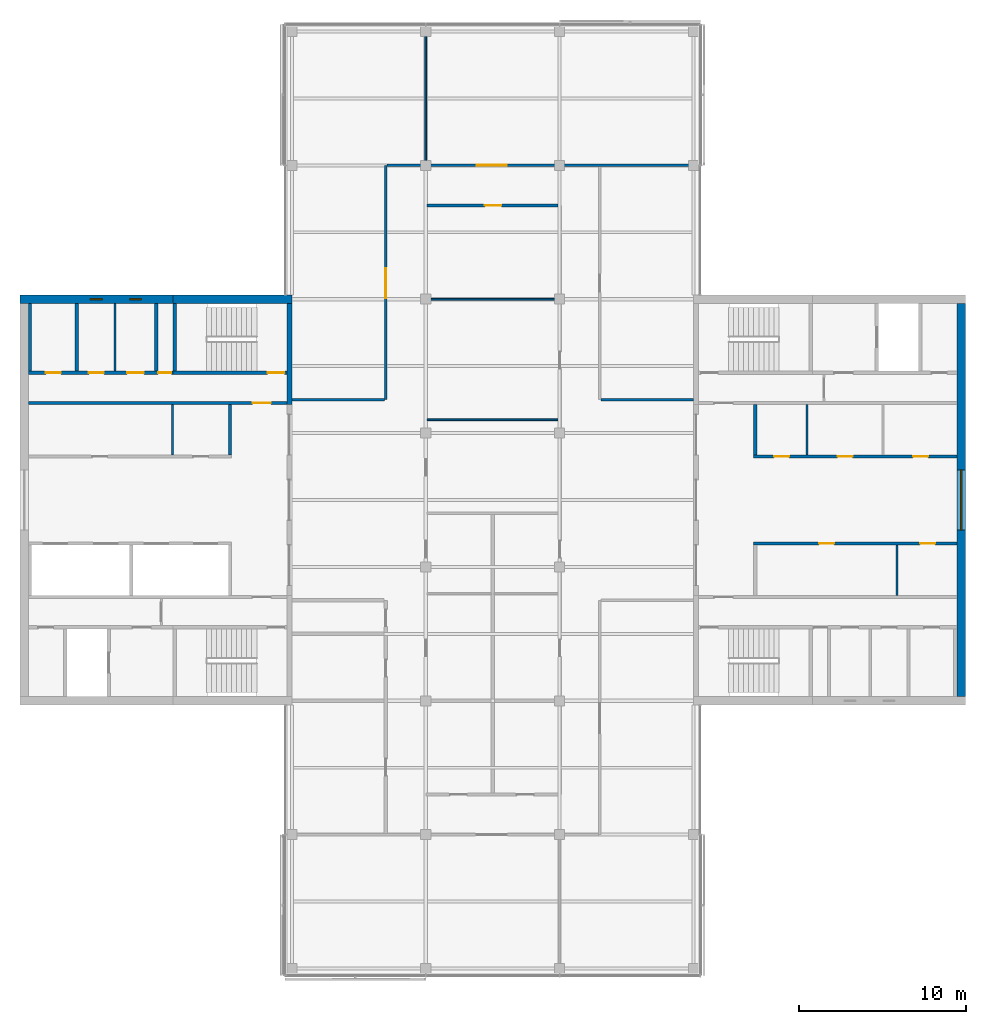
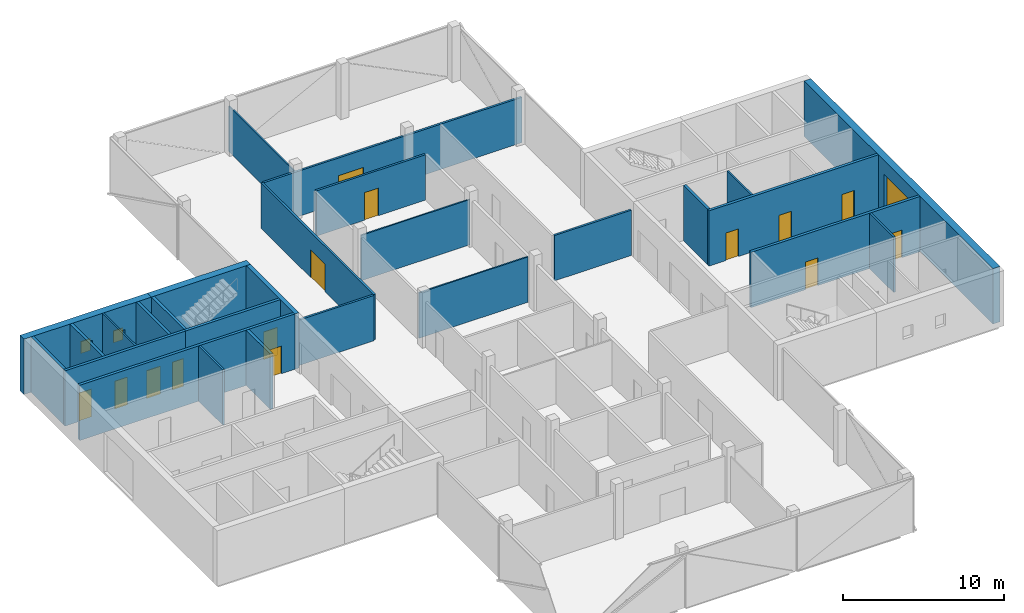
# One storey, part 11 of 15: 27 walls, 14 doors, 3 windows, 17 openings.
"""IFC4 building model written with IfcOpenShell, lengths in metres."""

from ifc_helpers import new_model, si_unit, direction, frame, frame_2d, origin, place, context, subcontext, project, spatial, rectangle, extrude, material, layer, layer_set, constituent, constituent_set, type_object, element, fill, save


model = new_model("IFC4")

# Units and contexts
model_context = context("Model", 3, precision=1e-05, world=origin(), true_north=direction((0.0, 1.0)))
body_context = subcontext(model_context, "Body", "Model", "MODEL_VIEW")
ifc_project = project(units=[si_unit("LENGTHUNIT", "METRE"), si_unit("AREAUNIT", "SQUARE_METRE"), si_unit("VOLUMEUNIT", "CUBIC_METRE"), si_unit("PLANEANGLEUNIT", "RADIAN"), si_unit("MASSUNIT", "GRAM", prefix="KILO")], contexts=[model_context])

# Site, building, storey
site_placement = place(None, origin())
site = spatial("IfcSite", under=ifc_project, at=site_placement, CompositionType="ELEMENT")
building_placement = place(site_placement, origin())
building = spatial("IfcBuilding", under=site, at=building_placement, Name="Crosswind Convention Tower", CompositionType="ELEMENT")
storey_placement = place(building_placement, frame((0.0, 0.0, 315.5)))
storey = spatial("IfcBuildingStorey", under=building, at=storey_placement, Name="L68", CompositionType="ELEMENT", Elevation=315.5)

# Walls
ifc_material_1 = material(Name="Concrete blockwork", Category="masonry")
ifc_layer_1 = layer(ifc_material_1, 0.199951171875)
ifc_layer_set_1 = layer_set([ifc_layer_1], Name="Blockwork partition wall 200")
wall_type_1 = type_object("IfcWallType", Name="Blockwork partition wall 200", PredefinedType="PARTITIONING", material=ifc_layer_set_1)
wall_1_placement = place(storey_placement, frame((104.89990234375, 111.75, 0.0), z_axis=(0.0, 0.0, 1.0), x_axis=(0.0, -1.0, 0.0)))
element("IfcWall", 1, at=wall_1_placement, inside=storey, type_object=wall_type_1, Name="Wall MRSE W L68", PredefinedType="PARTITIONING", context=body_context, shape_type="SweptSolid", body=[
    extrude(rectangle(XDim=4.050048828125, YDim=0.199951171875, at=frame_2d((2.02490234375, 0.0))), origin(), (0.0, 0.0, 1.0), 4.199951171875),
])
ifc_material_2 = material(Name="Concrete C50/60", Category="concrete")
ifc_layer_2 = layer(ifc_material_2, 0.300048828125)
ifc_layer_set_2 = layer_set([ifc_layer_2], Name="Concrete C50/60")
wall_type_2 = type_object("IfcWallType", Name="Concrete inner core wall 300", PredefinedType="SHEAR", material=ifc_layer_set_2)
wall_2_placement = place(storey_placement, frame((112.85009765625, 111.75, 0.0), z_axis=(0.0, 0.0, 1.0), x_axis=(0.0, -1.0, 0.0)))
element("IfcWall", 2, at=wall_2_placement, inside=storey, type_object=wall_type_2, Name="Wall EM W L68", PredefinedType="SHEAR", context=body_context, shape_type="SweptSolid", body=[
    extrude(rectangle(XDim=6.050048828125, YDim=0.300048828125, at=frame_2d((3.02490234375, 0.0))), origin(), (0.0, 0.0, 1.0), 4.199951171875),
])
ifc_layer_3 = layer(ifc_material_2, 0.199951171875)
ifc_layer_set_3 = layer_set([ifc_layer_3], Name="Concrete C50/60")
wall_type_3 = type_object("IfcWallType", Name="Concrete shaft and stair wall 200", PredefinedType="SHEAR", material=ifc_layer_set_3)
wall_3_placement = place(storey_placement, frame((140.699951171875, 102.699951171875, 0.0), z_axis=(0.0, 0.0, 1.0), x_axis=(0.0, 1.0, 0.0)))
element("IfcWall", 3, at=wall_3_placement, inside=storey, type_object=wall_type_3, Name="Wall RPEND E L68", PredefinedType="SHEAR", context=body_context, shape_type="SweptSolid", body=[
    extrude(rectangle(XDim=3.0, YDim=0.199951171875, at=frame_2d((1.5, 0.0))), origin(), (0.0, 0.0, 1.0), 4.199951171875),
])

# Wall, openings, doors
wall_4_placement = place(storey_placement, frame((140.60009765625, 102.60009765625, 0.0), z_axis=(0.0, 0.0, 1.0), x_axis=(1.0, 0.0, 0.0)))
wall_4 = element("IfcWall", 4, at=wall_4_placement, inside=storey, type_object=wall_type_3, Name="Wall RPFRONT E L68", PredefinedType="SHEAR", context=body_context, shape_type="SweptSolid", body=[
    extrude(rectangle(XDim=12.14990234375, YDim=0.199951171875, at=frame_2d((6.074951171875, 0.0))), origin(), (0.0, 0.0, 1.0), 4.199951171875),
])
opening_1_placement = place(wall_4_placement, frame((1.21240234375, 0.0, 0.0)))
opening_1 = element("IfcOpeningElement", 5, at=opening_1_placement, cuts=wall_4, Name="Opening D106", PredefinedType="OPENING", context=body_context, shape_type="SweptSolid", body=[
    extrude(rectangle(XDim=0.89990234375, YDim=2.10009765625, at=frame_2d((0.449951171875, 1.050048828125))), frame((0.0, 0.10986328125, 0.0), z_axis=(0.0, -1.0, 0.0), x_axis=(1.0, 0.0, 0.0)), (0.0, 0.0, 1.0), 0.219970703125),
])
opening_2_placement = place(wall_4_placement, frame((5.008056640625, 0.0, 0.0)))
opening_2 = element("IfcOpeningElement", 6, at=opening_2_placement, cuts=wall_4, Name="Opening D106", PredefinedType="OPENING", context=body_context, shape_type="SweptSolid", body=[
    extrude(rectangle(XDim=0.89990234375, YDim=2.10009765625, at=frame_2d((0.449951171875, 1.050048828125))), frame((0.0, 0.10986328125, 0.0), z_axis=(0.0, -1.0, 0.0), x_axis=(1.0, 0.0, 0.0)), (0.0, 0.0, 1.0), 0.219970703125),
])
opening_3_placement = place(wall_4_placement, frame((9.5205078125, 0.0, 0.0)))
opening_3 = element("IfcOpeningElement", 7, at=opening_3_placement, cuts=wall_4, Name="Opening D106", PredefinedType="OPENING", context=body_context, shape_type="SweptSolid", body=[
    extrude(rectangle(XDim=0.89990234375, YDim=2.10009765625, at=frame_2d((0.449951171875, 1.050048828125))), frame((0.0, 0.10986328125, 0.0), z_axis=(0.0, -1.0, 0.0), x_axis=(1.0, 0.0, 0.0)), (0.0, 0.0, 1.0), 0.219970703125),
])
ifc_material_3 = material(Name="Timber door", Category="wood")
door_type_1 = type_object("IfcDoorType", Name="Single leaf door 900x2100", OperationType="NOTDEFINED", PredefinedType="DOOR", material=ifc_material_3)
door_1_placement = place(opening_1_placement, origin())
door_1 = element("IfcDoor", 8, at=door_1_placement, inside=storey, type_object=door_type_1, Name="Door to meeting room L68", ObjectType="D106", OperationType="SINGLE_SWING_RIGHT", OverallHeight=2.10009765625, OverallWidth=0.89990234375, PredefinedType="DOOR", context=body_context, shape_type="SweptSolid", body=[
    extrude(rectangle(XDim=0.89990234375, YDim=2.10009765625, at=frame_2d((0.449951171875, 1.050048828125))), frame((0.0, 0.02490234375, 0.0), z_axis=(0.0, -1.0, 0.0), x_axis=(1.0, 0.0, 0.0)), (0.0, 0.0, 1.0), 0.050048828125),
])
fill(opening_1, door_1)
door_2_placement = place(opening_2_placement, origin())
door_2 = element("IfcDoor", 9, at=door_2_placement, inside=storey, type_object=door_type_1, Name="Door to pantry L68", ObjectType="D106", OperationType="SINGLE_SWING_RIGHT", OverallHeight=2.10009765625, OverallWidth=0.89990234375, PredefinedType="DOOR", context=body_context, shape_type="SweptSolid", body=[
    extrude(rectangle(XDim=0.89990234375, YDim=2.10009765625, at=frame_2d((0.449951171875, 1.050048828125))), frame((0.0, 0.02490234375, 0.0), z_axis=(0.0, -1.0, 0.0), x_axis=(1.0, 0.0, 0.0)), (0.0, 0.0, 1.0), 0.050048828125),
])
fill(opening_2, door_2)
door_3_placement = place(opening_3_placement, origin())
door_3 = element("IfcDoor", 10, at=door_3_placement, inside=storey, type_object=door_type_1, Name="Door to telecoms room L68", ObjectType="D106", OperationType="SINGLE_SWING_RIGHT", OverallHeight=2.10009765625, OverallWidth=0.89990234375, PredefinedType="DOOR", context=body_context, shape_type="SweptSolid", body=[
    extrude(rectangle(XDim=0.89990234375, YDim=2.10009765625, at=frame_2d((0.449951171875, 1.050048828125))), frame((0.0, 0.02490234375, 0.0), z_axis=(0.0, -1.0, 0.0), x_axis=(1.0, 0.0, 0.0)), (0.0, 0.0, 1.0), 0.050048828125),
])
fill(opening_3, door_3)

wall_5_placement = place(storey_placement, frame((140.60009765625, 97.39990234375, 0.0), z_axis=(0.0, 0.0, 1.0), x_axis=(1.0, 0.0, 0.0)))
wall_5 = element("IfcWall", 11, at=wall_5_placement, inside=storey, type_object=wall_type_3, Name="Wall RMFRONT E L68", PredefinedType="SHEAR", context=body_context, shape_type="SweptSolid", body=[
    extrude(rectangle(XDim=12.14990234375, YDim=0.199951171875, at=frame_2d((6.074951171875, 0.0))), origin(), (0.0, 0.0, 1.0), 4.199951171875),
])
opening_4_placement = place(wall_5_placement, frame((3.9013671875, 0.0, 0.0)))
opening_4 = element("IfcOpeningElement", 12, at=opening_4_placement, cuts=wall_5, Name="Opening D106", PredefinedType="OPENING", context=body_context, shape_type="SweptSolid", body=[
    extrude(rectangle(XDim=0.89990234375, YDim=2.10009765625, at=frame_2d((0.449951171875, 1.050048828125))), frame((0.0, 0.10986328125, 0.0), z_axis=(0.0, -1.0, 0.0), x_axis=(1.0, 0.0, 0.0)), (0.0, 0.0, 1.0), 0.219970703125),
])
opening_5_placement = place(wall_5_placement, frame((9.938720703125, 0.0, 0.0)))
opening_5 = element("IfcOpeningElement", 13, at=opening_5_placement, cuts=wall_5, Name="Opening D106", PredefinedType="OPENING", context=body_context, shape_type="SweptSolid", body=[
    extrude(rectangle(XDim=0.89990234375, YDim=2.10009765625, at=frame_2d((0.449951171875, 1.050048828125))), frame((0.0, 0.10986328125, 0.0), z_axis=(0.0, -1.0, 0.0), x_axis=(1.0, 0.0, 0.0)), (0.0, 0.0, 1.0), 0.219970703125),
])
door_4_placement = place(opening_4_placement, frame((0.89990234375, 0.0, 0.0), z_axis=(0.0, 0.0, 1.0), x_axis=(-1.0, 0.0, 0.0)))
door_4 = element("IfcDoor", 14, at=door_4_placement, inside=storey, type_object=door_type_1, Name="Door to pantry L68", ObjectType="D106", OperationType="SINGLE_SWING_LEFT", OverallHeight=2.10009765625, OverallWidth=0.89990234375, PredefinedType="DOOR", context=body_context, shape_type="SweptSolid", body=[
    extrude(rectangle(XDim=0.89990234375, YDim=2.10009765625, at=frame_2d((0.449951171875, 1.050048828125))), frame((0.0, 0.02490234375, 0.0), z_axis=(0.0, -1.0, 0.0), x_axis=(1.0, 0.0, 0.0)), (0.0, 0.0, 1.0), 0.050048828125),
])
fill(opening_4, door_4)
door_5_placement = place(opening_5_placement, frame((0.89990234375, 0.0, 0.0), z_axis=(0.0, 0.0, 1.0), x_axis=(-1.0, 0.0, 0.0)))
door_5 = element("IfcDoor", 15, at=door_5_placement, inside=storey, type_object=door_type_1, Name="Door to telecoms room L68", ObjectType="D106", OperationType="SINGLE_SWING_LEFT", OverallHeight=2.10009765625, OverallWidth=0.89990234375, PredefinedType="DOOR", context=body_context, shape_type="SweptSolid", body=[
    extrude(rectangle(XDim=0.89990234375, YDim=2.10009765625, at=frame_2d((0.449951171875, 1.050048828125))), frame((0.0, 0.02490234375, 0.0), z_axis=(0.0, -1.0, 0.0), x_axis=(1.0, 0.0, 0.0)), (0.0, 0.0, 1.0), 0.050048828125),
])
fill(opening_5, door_5)

# Wall
wall_6_placement = place(storey_placement, frame((109.300048828125, 105.699951171875, 0.0), z_axis=(0.0, 0.0, 1.0), x_axis=(0.0, -1.0, 0.0)))
element("IfcWall", 16, at=wall_6_placement, inside=storey, type_object=wall_type_3, Name="Wall RMEND W L68", PredefinedType="SHEAR", context=body_context, shape_type="SweptSolid", body=[
    extrude(rectangle(XDim=3.0, YDim=0.199951171875, at=frame_2d((1.5, 0.0))), origin(), (0.0, 0.0, 1.0), 4.199951171875),
])

# Wall, opening, door
wall_7_placement = place(storey_placement, frame((112.699951171875, 105.800048828125, 0.0), z_axis=(0.0, 0.0, 1.0), x_axis=(-1.0, 0.0, 0.0)))
wall_7 = element("IfcWall", 17, at=wall_7_placement, inside=storey, type_object=wall_type_3, Name="Wall HM W L68", PredefinedType="SHEAR", context=body_context, shape_type="SweptSolid", body=[
    extrude(rectangle(XDim=15.449951171875, YDim=0.199951171875, at=frame_2d((7.72509765625, 0.0))), origin(), (0.0, 0.0, 1.0), 4.199951171875),
])
opening_6_placement = place(wall_7_placement, frame((0.949951171875, 0.0, 0.0)))
opening_6 = element("IfcOpeningElement", 18, at=opening_6_placement, cuts=wall_7, Name="Opening D104", PredefinedType="OPENING", context=body_context, shape_type="SweptSolid", body=[
    extrude(rectangle(XDim=1.10009765625, YDim=2.10009765625, at=frame_2d((0.550048828125, 1.050048828125))), frame((0.0, 0.10986328125, 0.0), z_axis=(0.0, -1.0, 0.0), x_axis=(1.0, 0.0, 0.0)), (0.0, 0.0, 1.0), 0.219970703125),
])
ifc_material_4 = material(Name="Steel fire door", Category="steel")
door_type_2 = type_object("IfcDoorType", Name="Fire-rated single door 1100x2100", OperationType="NOTDEFINED", PredefinedType="DOOR", material=ifc_material_4)
door_6_placement = place(opening_6_placement, origin())
door_6 = element("IfcDoor", 19, at=door_6_placement, inside=storey, type_object=door_type_2, Name="Corridor door L68", ObjectType="D104", OperationType="SINGLE_SWING_LEFT", OverallHeight=2.10009765625, OverallWidth=1.10009765625, PredefinedType="DOOR", context=body_context, shape_type="SweptSolid", body=[
    extrude(rectangle(XDim=1.10009765625, YDim=2.10009765625, at=frame_2d((0.550048828125, 1.050048828125))), frame((0.0, 0.02490234375, 0.0), z_axis=(0.0, -1.0, 0.0), x_axis=(1.0, 0.0, 0.0)), (0.0, 0.0, 1.0), 0.050048828125),
])
fill(opening_6, door_6)

# Walls
for number, where, z_axis, x_axis, name in (
    (20, (106.0, 111.75, 0.0), (0.0, 0.0, 1.0), (0.0, -1.0, 0.0), "Wall MSE W L68"),
    (21, (100.14990234375, 111.75, 0.0), (0.0, 0.0, 1.0), (0.0, -1.0, 0.0), "Wall MFSW W L68"),
    (22, (97.35009765625, 111.75, 0.0), (0.0, 0.0, 1.0), (0.0, -1.0, 0.0), "Wall MFSE W L68"),
):
    element("IfcWall", number, at=place(storey_placement, frame(where, z_axis=z_axis, x_axis=x_axis)), inside=storey, type_object=wall_type_3, Name=name, PredefinedType="SHEAR", context=body_context, shape_type="SweptSolid", body=[
        extrude(rectangle(XDim=4.050048828125, YDim=0.199951171875, at=frame_2d((2.02490234375, 0.0))), origin(), (0.0, 0.0, 1.0), 4.199951171875),
    ])

# Wall, opening, door
wall_8_placement = place(storey_placement, frame((112.699951171875, 107.60009765625, 0.0), z_axis=(0.0, 0.0, 1.0), x_axis=(-1.0, 0.0, 0.0)))
wall_8 = element("IfcWall", 23, at=wall_8_placement, inside=storey, type_object=wall_type_3, Name="Wall MCW W L68", PredefinedType="SHEAR", context=body_context, shape_type="SweptSolid", body=[
    extrude(rectangle(XDim=6.800048828125, YDim=0.199951171875, at=frame_2d((3.39990234375, 0.0))), origin(), (0.0, 0.0, 1.0), 4.199951171875),
])
opening_7_placement = place(wall_8_placement, frame((0.14990234375, 0.0, 0.0)))
opening_7 = element("IfcOpeningElement", 24, at=opening_7_placement, cuts=wall_8, Name="Opening D103", PredefinedType="OPENING", context=body_context, shape_type="SweptSolid", body=[
    extrude(rectangle(XDim=1.0, YDim=2.10009765625, at=frame_2d((0.5, 1.050048828125))), frame((0.0, 0.10986328125, 0.0), z_axis=(0.0, -1.0, 0.0), x_axis=(1.0, 0.0, 0.0)), (0.0, 0.0, 1.0), 0.219970703125),
])
door_type_3 = type_object("IfcDoorType", Name="Fire-rated single door 1000x2100", OperationType="NOTDEFINED", PredefinedType="DOOR", material=ifc_material_4)
door_7_placement = place(opening_7_placement, frame((1.0, 0.0, 0.0), z_axis=(0.0, 0.0, 1.0), x_axis=(-1.0, 0.0, 0.0)))
door_7 = element("IfcDoor", 25, at=door_7_placement, inside=storey, type_object=door_type_3, Name="Stair ST4 door L68", ObjectType="D103", OperationType="SINGLE_SWING_RIGHT", OverallHeight=2.10009765625, OverallWidth=1.0, PredefinedType="DOOR", context=body_context, shape_type="SweptSolid", body=[
    extrude(rectangle(XDim=1.0, YDim=2.10009765625, at=frame_2d((0.5, 1.050048828125))), frame((0.0, 0.02490234375, 0.0), z_axis=(0.0, -1.0, 0.0), x_axis=(1.0, 0.0, 0.0)), (0.0, 0.0, 1.0), 0.050048828125),
])
fill(opening_7, door_7)

# Wall, openings, doors
wall_9_placement = place(storey_placement, frame((105.89990234375, 107.60009765625, 0.0), z_axis=(0.0, 0.0, 1.0), x_axis=(-1.0, 0.0, 0.0)))
wall_9 = element("IfcWall", 26, at=wall_9_placement, inside=storey, type_object=wall_type_3, Name="Wall MCX W L68", PredefinedType="SHEAR", context=body_context, shape_type="SweptSolid", body=[
    extrude(rectangle(XDim=8.64990234375, YDim=0.199951171875, at=frame_2d((4.324951171875, 0.0))), origin(), (0.0, 0.0, 1.0), 4.199951171875),
])
opening_8_placement = place(wall_9_placement, frame((0.10009765625, 0.0, 0.0)))
opening_8 = element("IfcOpeningElement", 27, at=opening_8_placement, cuts=wall_9, Name="Opening D105", PredefinedType="OPENING", context=body_context, shape_type="SweptSolid", body=[
    extrude(rectangle(XDim=0.800048828125, YDim=2.10009765625, at=frame_2d((0.39990234375, 1.050048828125))), frame((0.0, 0.10986328125, 0.0), z_axis=(0.0, -1.0, 0.0), x_axis=(1.0, 0.0, 0.0)), (0.0, 0.0, 1.0), 0.219970703125),
])
opening_9_placement = place(wall_9_placement, frame((1.751708984375, 0.0, 0.0)))
opening_9 = element("IfcOpeningElement", 28, at=opening_9_placement, cuts=wall_9, Name="Opening D103", PredefinedType="OPENING", context=body_context, shape_type="SweptSolid", body=[
    extrude(rectangle(XDim=1.0, YDim=2.10009765625, at=frame_2d((0.5, 1.050048828125))), frame((0.0, 0.10986328125, 0.0), z_axis=(0.0, -1.0, 0.0), x_axis=(1.0, 0.0, 0.0)), (0.0, 0.0, 1.0), 0.219970703125),
])
opening_10_placement = place(wall_9_placement, frame((4.13916015625, 0.0, 0.0)))
opening_10 = element("IfcOpeningElement", 29, at=opening_10_placement, cuts=wall_9, Name="Opening D106", PredefinedType="OPENING", context=body_context, shape_type="SweptSolid", body=[
    extrude(rectangle(XDim=0.89990234375, YDim=2.10009765625, at=frame_2d((0.449951171875, 1.050048828125))), frame((0.0, 0.10986328125, 0.0), z_axis=(0.0, -1.0, 0.0), x_axis=(1.0, 0.0, 0.0)), (0.0, 0.0, 1.0), 0.219970703125),
])
opening_11_placement = place(wall_9_placement, frame((6.699951171875, 0.0, 0.0)))
opening_11 = element("IfcOpeningElement", 30, at=opening_11_placement, cuts=wall_9, Name="Opening D106", PredefinedType="OPENING", context=body_context, shape_type="SweptSolid", body=[
    extrude(rectangle(XDim=0.89990234375, YDim=2.10009765625, at=frame_2d((0.449951171875, 1.050048828125))), frame((0.0, 0.10986328125, 0.0), z_axis=(0.0, -1.0, 0.0), x_axis=(1.0, 0.0, 0.0)), (0.0, 0.0, 1.0), 0.219970703125),
])
door_8_placement = place(opening_9_placement, frame((1.0, 0.0, 0.0), z_axis=(0.0, 0.0, 1.0), x_axis=(-1.0, 0.0, 0.0)))
door_8 = element("IfcDoor", 31, at=door_8_placement, inside=storey, type_object=door_type_3, Name="Door to accessible wc L68", ObjectType="D103", OperationType="SINGLE_SWING_LEFT", OverallHeight=2.10009765625, OverallWidth=1.0, PredefinedType="DOOR", context=body_context, shape_type="SweptSolid", body=[
    extrude(rectangle(XDim=1.0, YDim=2.10009765625, at=frame_2d((0.5, 1.050048828125))), frame((0.0, 0.02490234375, 0.0), z_axis=(0.0, -1.0, 0.0), x_axis=(1.0, 0.0, 0.0)), (0.0, 0.0, 1.0), 0.050048828125),
])
fill(opening_9, door_8)
door_type_4 = type_object("IfcDoorType", Name="Riser access door 800x2100", OperationType="NOTDEFINED", PredefinedType="DOOR", material=ifc_material_4)
door_9_placement = place(opening_8_placement, frame((0.800048828125, 0.0, 0.0), z_axis=(0.0, 0.0, 1.0), x_axis=(-1.0, 0.0, 0.0)))
door_9 = element("IfcDoor", 32, at=door_9_placement, inside=storey, type_object=door_type_4, Name="Riser door L68", ObjectType="D105", OperationType="SINGLE_SWING_LEFT", OverallHeight=2.10009765625, OverallWidth=0.800048828125, PredefinedType="DOOR", context=body_context, shape_type="SweptSolid", body=[
    extrude(rectangle(XDim=0.800048828125, YDim=2.10009765625, at=frame_2d((0.39990234375, 1.050048828125))), frame((0.0, 0.02490234375, 0.0), z_axis=(0.0, -1.0, 0.0), x_axis=(1.0, 0.0, 0.0)), (0.0, 0.0, 1.0), 0.050048828125),
])
fill(opening_8, door_9)
door_10_placement = place(opening_10_placement, frame((0.89990234375, 0.0, 0.0), z_axis=(0.0, 0.0, 1.0), x_axis=(-1.0, 0.0, 0.0)))
door_10 = element("IfcDoor", 33, at=door_10_placement, inside=storey, type_object=door_type_1, Name="Door to wc L68", ObjectType="D106", OperationType="SINGLE_SWING_LEFT", OverallHeight=2.10009765625, OverallWidth=0.89990234375, PredefinedType="DOOR", context=body_context, shape_type="SweptSolid", body=[
    extrude(rectangle(XDim=0.89990234375, YDim=2.10009765625, at=frame_2d((0.449951171875, 1.050048828125))), frame((0.0, 0.02490234375, 0.0), z_axis=(0.0, -1.0, 0.0), x_axis=(1.0, 0.0, 0.0)), (0.0, 0.0, 1.0), 0.050048828125),
])
fill(opening_10, door_10)
door_11_placement = place(opening_11_placement, frame((0.89990234375, 0.0, 0.0), z_axis=(0.0, 0.0, 1.0), x_axis=(-1.0, 0.0, 0.0)))
door_11 = element("IfcDoor", 34, at=door_11_placement, inside=storey, type_object=door_type_1, Name="Door to wc L68", ObjectType="D106", OperationType="SINGLE_SWING_LEFT", OverallHeight=2.10009765625, OverallWidth=0.89990234375, PredefinedType="DOOR", context=body_context, shape_type="SweptSolid", body=[
    extrude(rectangle(XDim=0.89990234375, YDim=2.10009765625, at=frame_2d((0.449951171875, 1.050048828125))), frame((0.0, 0.02490234375, 0.0), z_axis=(0.0, -1.0, 0.0), x_axis=(1.0, 0.0, 0.0)), (0.0, 0.0, 1.0), 0.050048828125),
])
fill(opening_11, door_11)

# Walls
ifc_material_5 = material(Name="Gypsum plasterboard partition", Category="gypsum")
ifc_layer_4 = layer(ifc_material_5, 0.125)
ifc_layer_set_4 = layer_set([ifc_layer_4], Name="Drywall partition wall 125")
wall_type_4 = type_object("IfcWallType", Name="Drywall partition wall 125", PredefinedType="PARTITIONING", material=ifc_layer_set_4)
for number, where, z_axis, x_axis, name in (
    (35, (143.78759765625, 102.699951171875, 0.0), (0.0, 0.0, 1.0), (0.0, 1.0, 0.0), "Wall RPP1 E L68"),
    (36, (149.1650390625, 94.300048828125, 0.0), (0.0, 0.0, 1.0), (0.0, 1.0, 0.0), "Wall RMP1 E L68"),
    (37, (105.85400390625, 105.699951171875, 0.0), (0.0, 0.0, 1.0), (0.0, -1.0, 0.0), "Wall RMP1 W L68"),
):
    element("IfcWall", number, at=place(storey_placement, frame(where, z_axis=z_axis, x_axis=x_axis)), inside=storey, type_object=wall_type_4, Name=name, PredefinedType="PARTITIONING", context=body_context, shape_type="SweptSolid", body=[
        extrude(rectangle(XDim=3.0, YDim=0.125, at=frame_2d((1.5, 0.0))), origin(), (0.0, 0.0, 1.0), 4.199951171875),
    ])
wall_10_placement = place(storey_placement, frame((102.43408203125, 111.75, 0.0), z_axis=(0.0, 0.0, 1.0), x_axis=(0.0, -1.0, 0.0)))
element("IfcWall", 38, at=wall_10_placement, inside=storey, type_object=wall_type_4, Name="Wall MWP1 W L68", PredefinedType="PARTITIONING", context=body_context, shape_type="SweptSolid", body=[
    extrude(rectangle(XDim=4.050048828125, YDim=0.125, at=frame_2d((2.02490234375, 0.0))), origin(), (0.0, 0.0, 1.0), 4.199951171875),
])
ifc_material_6 = material(Name="Plasterboard partition", Category="gypsum")
ifc_layer_5 = layer(ifc_material_6, 0.10009765625)
ifc_layer_set_5 = layer_set([ifc_layer_5], Name="PARTITION 100 METAL STUD")
wall_type_5 = type_object("IfcWallType", Name="PARTITION 100 METAL STUD", PredefinedType="PARTITIONING", material=ifc_layer_set_5)
wall_11_placement = place(storey_placement, frame((121.0, 120.074951171875, 0.0), z_axis=(0.0, 0.0, 1.0), x_axis=(0.0, 1.0, 0.0)))
element("IfcWall", 39, at=wall_11_placement, inside=storey, type_object=wall_type_5, Name="Partition wall WT40", PredefinedType="PARTITIONING", context=body_context, shape_type="SweptSolid", body=[
    extrude(rectangle(XDim=8.14501953125, YDim=0.10009765625, at=frame_2d((4.072509765625, 0.0))), origin(), (0.0, 0.0, 1.0), 3.44287109375),
])
for number, where, z_axis, x_axis, name in (
    (40, (121.074951171875, 104.800048828125, 0.0), (0.0, 0.0, 1.0), (1.0, 0.0, 0.0), "Partition wall WT40"),
    (41, (121.074951171875, 112.0, 0.0), (0.0, 0.0, 1.0), (1.0, 0.0, 0.0), "Partition wall WT40"),
):
    element("IfcWall", number, at=place(storey_placement, frame(where, z_axis=z_axis, x_axis=x_axis)), inside=storey, type_object=wall_type_5, Name=name, PredefinedType="PARTITIONING", context=body_context, shape_type="SweptSolid", body=[
        extrude(rectangle(XDim=7.824951171875, YDim=0.10009765625, at=frame_2d((3.91259765625, 0.0))), origin(), (0.0, 0.0, 1.0), 3.44287109375),
    ])

# Wall, opening, door
ifc_material_7 = material(Name="Fire-board partition with mineral wool", Category="gypsum")
ifc_layer_6 = layer(ifc_material_7, 0.14990234375)
ifc_layer_set_6 = layer_set([ifc_layer_6], Name="TENANCY WALL 150 TWO-HOUR BOARD")
wall_type_6 = type_object("IfcWallType", Name="TENANCY WALL 150 TWO-HOUR BOARD", PredefinedType="PARTITIONING", material=ifc_layer_set_6)
wall_12_placement = place(storey_placement, frame((118.60009765625, 106.0, 0.0), z_axis=(0.0, 0.0, 1.0), x_axis=(0.0, 1.0, 0.0)))
wall_12 = element("IfcWall", 42, at=wall_12_placement, inside=storey, type_object=wall_type_6, Name="Tenancy wall WT41", PredefinedType="PARTITIONING", context=body_context, shape_type="SweptSolid", body=[
    extrude(rectangle(XDim=14.0, YDim=0.14990234375, at=frame_2d((7.0, 0.0))), origin(), (0.0, 0.0, 1.0), 3.44287109375),
])
opening_12_placement = place(wall_12_placement, frame((6.050048828125, 0.0, 0.0)))
opening_12 = element("IfcOpeningElement", 43, at=opening_12_placement, cuts=wall_12, Name="Opening L68-52", PredefinedType="OPENING", context=body_context, shape_type="SweptSolid", body=[
    extrude(rectangle(XDim=1.800048828125, YDim=2.10009765625, at=frame_2d((0.89990234375, 1.050048828125))), frame((0.0, 0.0849609375, 0.0), z_axis=(0.0, -1.0, 0.0), x_axis=(1.0, 0.0, 0.0)), (0.0, 0.0, 1.0), 0.169921875),
])
ifc_material_8 = material(Name="Timber fire door", Category="wood")
door_type_5 = type_object("IfcDoorType", Name="TENANCY ENTRANCE DOUBLE DOOR 1800X2100 FD30S", OperationType="DOUBLE_DOOR_SINGLE_SWING", PredefinedType="DOOR", material=ifc_material_8)
door_12_placement = place(opening_12_placement, origin())
door_12 = element("IfcDoor", 44, at=door_12_placement, inside=storey, type_object=door_type_5, Name="Door L68-52", ObjectType="D42", OperationType="DOUBLE_DOOR_SINGLE_SWING", OverallHeight=2.10009765625, OverallWidth=1.800048828125, PredefinedType="DOOR", context=body_context, shape_type="SweptSolid", body=[
    extrude(rectangle(XDim=1.800048828125, YDim=2.10009765625, at=frame_2d((0.89990234375, 1.050048828125))), frame((0.0, 0.02490234375, 0.0), z_axis=(0.0, -1.0, 0.0), x_axis=(1.0, 0.0, 0.0)), (0.0, 0.0, 1.0), 0.050048828125),
])
fill(opening_12, door_12)

# Walls
for number, where, z_axis, x_axis, name in (
    (45, (113.0, 106.0, 0.0), (0.0, 0.0, 1.0), (1.0, 0.0, 0.0), "Tenancy wall WT41"),
    (46, (131.47509765625, 106.0, 0.0), (0.0, 0.0, 1.0), (1.0, 0.0, 0.0), "Tenancy wall WT41"),
):
    element("IfcWall", number, at=place(storey_placement, frame(where, z_axis=z_axis, x_axis=x_axis)), inside=storey, type_object=wall_type_6, Name=name, PredefinedType="PARTITIONING", context=body_context, shape_type="SweptSolid", body=[
        extrude(rectangle(XDim=5.52490234375, YDim=0.14990234375, at=frame_2d((2.762451171875, 0.0))), origin(), (0.0, 0.0, 1.0), 3.44287109375),
    ])

# Wall, opening, door
wall_13_placement = place(storey_placement, frame((121.074951171875, 117.60009765625, 0.0), z_axis=(0.0, 0.0, 1.0), x_axis=(1.0, 0.0, 0.0)))
wall_13 = element("IfcWall", 47, at=wall_13_placement, inside=storey, type_object=wall_type_6, Name="Tenancy wall WT41", PredefinedType="PARTITIONING", context=body_context, shape_type="SweptSolid", body=[
    extrude(rectangle(XDim=7.824951171875, YDim=0.14990234375, at=frame_2d((3.91259765625, 0.0))), origin(), (0.0, 0.0, 1.0), 3.44287109375),
])
opening_13_placement = place(wall_13_placement, frame((3.449951171875, 0.0, 0.0)))
opening_13 = element("IfcOpeningElement", 48, at=opening_13_placement, cuts=wall_13, Name="Opening L68-66", PredefinedType="OPENING", context=body_context, shape_type="SweptSolid", body=[
    extrude(rectangle(XDim=1.0, YDim=2.10009765625, at=frame_2d((0.5, 1.050048828125))), frame((0.0, 0.0849609375, 0.0), z_axis=(0.0, -1.0, 0.0), x_axis=(1.0, 0.0, 0.0)), (0.0, 0.0, 1.0), 0.169921875),
])
door_type_6 = type_object("IfcDoorType", Name="TENANCY ENTRANCE DOOR 1000X2100 FD30S", OperationType="NOTDEFINED", PredefinedType="DOOR", material=ifc_material_8)
door_13_placement = place(opening_13_placement, frame((1.0, 0.0, 0.0), z_axis=(0.0, 0.0, 1.0), x_axis=(-1.0, 0.0, 0.0)))
door_13 = element("IfcDoor", 49, at=door_13_placement, inside=storey, type_object=door_type_6, Name="Door L68-66", ObjectType="D41", OperationType="SINGLE_SWING_LEFT", OverallHeight=2.10009765625, OverallWidth=1.0, PredefinedType="DOOR", context=body_context, shape_type="SweptSolid", body=[
    extrude(rectangle(XDim=1.0, YDim=2.10009765625, at=frame_2d((0.5, 1.050048828125))), frame((0.0, 0.02490234375, 0.0), z_axis=(0.0, -1.0, 0.0), x_axis=(1.0, 0.0, 0.0)), (0.0, 0.0, 1.0), 0.050048828125),
])
fill(opening_13, door_13)

wall_14_placement = place(storey_placement, frame((118.675048828125, 120.0, 0.0), z_axis=(0.0, 0.0, 1.0), x_axis=(1.0, 0.0, 0.0)))
wall_14 = element("IfcWall", 50, at=wall_14_placement, inside=storey, type_object=wall_type_6, Name="Tenancy wall WT41", PredefinedType="PARTITIONING", context=body_context, shape_type="SweptSolid", body=[
    extrude(rectangle(XDim=18.544921875, YDim=0.14990234375, at=frame_2d((9.2724609375, 0.0))), origin(), (0.0, 0.0, 1.0), 3.44287109375),
])
opening_14_placement = place(wall_14_placement, frame((5.375, 0.0, 0.0)))
opening_14 = element("IfcOpeningElement", 51, at=opening_14_placement, cuts=wall_14, Name="Opening L68-56", PredefinedType="OPENING", context=body_context, shape_type="SweptSolid", body=[
    extrude(rectangle(XDim=1.800048828125, YDim=2.10009765625, at=frame_2d((0.89990234375, 1.050048828125))), frame((0.0, 0.0849609375, 0.0), z_axis=(0.0, -1.0, 0.0), x_axis=(1.0, 0.0, 0.0)), (0.0, 0.0, 1.0), 0.169921875),
])
door_14_placement = place(opening_14_placement, origin())
door_14 = element("IfcDoor", 52, at=door_14_placement, inside=storey, type_object=door_type_5, Name="Door L68-56", ObjectType="D42", OperationType="DOUBLE_DOOR_SINGLE_SWING", OverallHeight=2.10009765625, OverallWidth=1.800048828125, PredefinedType="DOOR", context=body_context, shape_type="SweptSolid", body=[
    extrude(rectangle(XDim=1.800048828125, YDim=2.10009765625, at=frame_2d((0.89990234375, 1.050048828125))), frame((0.0, 0.02490234375, 0.0), z_axis=(0.0, -1.0, 0.0), x_axis=(1.0, 0.0, 0.0)), (0.0, 0.0, 1.0), 0.050048828125),
])
fill(opening_14, door_14)

# Wall, opening, window
ifc_material_9 = material(Name="Concrete C60/75", Category="concrete")
ifc_constituent_1 = constituent(ifc_material_9, Name="Structure")
ifc_material_10 = material(Name="Terracotta rainscreen", Category="ceramic")
ifc_constituent_2 = constituent(ifc_material_10, Name="Facing")
ifc_constituent_set = constituent_set(constituents=[ifc_constituent_1, ifc_constituent_2], Name="Concrete C60/75, Terracotta rainscreen")
wall_type_7 = type_object("IfcWallType", Name="Terracotta rainscreen on concrete core wall 500", PredefinedType="SHEAR", material=ifc_constituent_set)
wall_15_placement = place(storey_placement, frame((153.0, 88.25, 0.0), z_axis=(0.0, 0.0, 1.0), x_axis=(0.0, 1.0, 0.0)))
wall_15 = element("IfcWall", 53, at=wall_15_placement, inside=storey, type_object=wall_type_7, Name="Wall O E L68", PredefinedType="SHEAR", context=body_context, shape_type="SweptSolid", body=[
    extrude(rectangle(XDim=23.5, YDim=0.5, at=frame_2d((11.75, 0.0))), origin(), (0.0, 0.0, 1.0), 4.199951171875),
])
opening_15_placement = place(wall_15_placement, frame((9.949951171875, 0.0, 0.14990234375)))
opening_15 = element("IfcOpeningElement", 54, at=opening_15_placement, cuts=wall_15, Name="Opening W1", PredefinedType="OPENING", context=body_context, shape_type="SweptSolid", body=[
    extrude(rectangle(XDim=3.60009765625, YDim=3.0, at=frame_2d((1.800048828125, 1.5))), frame((0.0, 0.260009765625, 0.0), z_axis=(0.0, -1.0, 0.0), x_axis=(1.0, 0.0, 0.0)), (0.0, 0.0, 1.0), 0.52001953125),
])
ifc_material_11 = material(Name="Clear laminated glass in aluminium frame", Category="aluminium")
window_type_1 = type_object("IfcWindowType", Name="Lobby end window 3600x3000", PartitioningType="SINGLE_PANEL", PredefinedType="WINDOW", material=ifc_material_11)
window_1_placement = place(opening_15_placement, origin())
window_1 = element("IfcWindow", 55, at=window_1_placement, inside=storey, type_object=window_type_1, Name="Lobby end window L68", ObjectType="W1", OverallHeight=3.0, OverallWidth=3.60009765625, PartitioningType="SINGLE_PANEL", PredefinedType="WINDOW", context=body_context, shape_type="SweptSolid", body=[
    extrude(rectangle(XDim=3.60009765625, YDim=3.0, at=frame_2d((1.800048828125, 1.5))), frame((0.0, 0.030029296875, 0.0), z_axis=(0.0, -1.0, 0.0), x_axis=(1.0, 0.0, 0.0)), (0.0, 0.0, 1.0), 0.06005859375),
])
fill(opening_15, window_1)

# Wall
wall_16_placement = place(storey_placement, frame((113.0, 112.0, 0.0), z_axis=(0.0, 0.0, 1.0), x_axis=(-1.0, 0.0, 0.0)))
element("IfcWall", 56, at=wall_16_placement, inside=storey, type_object=wall_type_7, Name="Wall S1 W L68", PredefinedType="SHEAR", context=body_context, shape_type="SweptSolid", body=[
    extrude(rectangle(XDim=7.10009765625, YDim=0.5, at=frame_2d((3.550048828125, 0.0))), origin(), (0.0, 0.0, 1.0), 4.199951171875),
])

# Wall, openings, windows
wall_17_placement = place(storey_placement, frame((105.89990234375, 112.0, 0.0), z_axis=(0.0, 0.0, 1.0), x_axis=(-1.0, 0.0, 0.0)))
wall_17 = element("IfcWall", 57, at=wall_17_placement, inside=storey, type_object=wall_type_7, Name="Wall S2 W L68", PredefinedType="SHEAR", context=body_context, shape_type="SweptSolid", body=[
    extrude(rectangle(XDim=9.14990234375, YDim=0.5, at=frame_2d((4.574951171875, 0.0))), origin(), (0.0, 0.0, 1.0), 4.199951171875),
])
opening_16_placement = place(wall_17_placement, frame((1.90185546875, 0.0, 1.5)))
opening_16 = element("IfcOpeningElement", 58, at=opening_16_placement, cuts=wall_17, Name="Opening W2", PredefinedType="OPENING", context=body_context, shape_type="SweptSolid", body=[
    extrude(rectangle(XDim=0.699951171875, YDim=0.89990234375, at=frame_2d((0.35009765625, 0.449951171875))), frame((0.0, 0.260009765625, 0.0), z_axis=(0.0, -1.0, 0.0), x_axis=(1.0, 0.0, 0.0)), (0.0, 0.0, 1.0), 0.52001953125),
])
opening_17_placement = place(wall_17_placement, frame((4.2392578125, 0.0, 1.5)))
opening_17 = element("IfcOpeningElement", 59, at=opening_17_placement, cuts=wall_17, Name="Opening W2", PredefinedType="OPENING", context=body_context, shape_type="SweptSolid", body=[
    extrude(rectangle(XDim=0.699951171875, YDim=0.89990234375, at=frame_2d((0.35009765625, 0.449951171875))), frame((0.0, 0.260009765625, 0.0), z_axis=(0.0, -1.0, 0.0), x_axis=(1.0, 0.0, 0.0)), (0.0, 0.0, 1.0), 0.52001953125),
])
ifc_material_12 = material(Name="Obscure glass in aluminium frame", Category="aluminium")
window_type_2 = type_object("IfcWindowType", Name="WC window 700x900", PartitioningType="SINGLE_PANEL", PredefinedType="WINDOW", material=ifc_material_12)
window_2_placement = place(opening_16_placement, origin())
window_2 = element("IfcWindow", 60, at=window_2_placement, inside=storey, type_object=window_type_2, Name="WC window L68", ObjectType="W2", OverallHeight=0.89990234375, OverallWidth=0.699951171875, PartitioningType="SINGLE_PANEL", PredefinedType="WINDOW", context=body_context, shape_type="SweptSolid", body=[
    extrude(rectangle(XDim=0.699951171875, YDim=0.89990234375, at=frame_2d((0.35009765625, 0.449951171875))), frame((0.0, 0.030029296875, 0.0), z_axis=(0.0, -1.0, 0.0), x_axis=(1.0, 0.0, 0.0)), (0.0, 0.0, 1.0), 0.06005859375),
])
fill(opening_16, window_2)
window_3_placement = place(opening_17_placement, origin())
window_3 = element("IfcWindow", 61, at=window_3_placement, inside=storey, type_object=window_type_2, Name="WC window L68", ObjectType="W2", OverallHeight=0.89990234375, OverallWidth=0.699951171875, PartitioningType="SINGLE_PANEL", PredefinedType="WINDOW", context=body_context, shape_type="SweptSolid", body=[
    extrude(rectangle(XDim=0.699951171875, YDim=0.89990234375, at=frame_2d((0.35009765625, 0.449951171875))), frame((0.0, 0.030029296875, 0.0), z_axis=(0.0, -1.0, 0.0), x_axis=(1.0, 0.0, 0.0)), (0.0, 0.0, 1.0), 0.06005859375),
])
fill(opening_17, window_3)

save(model, "model.ifc")
